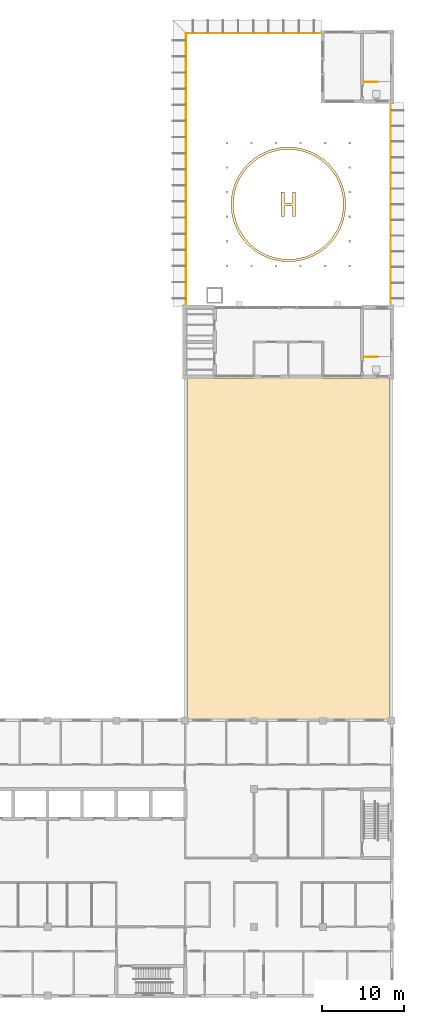
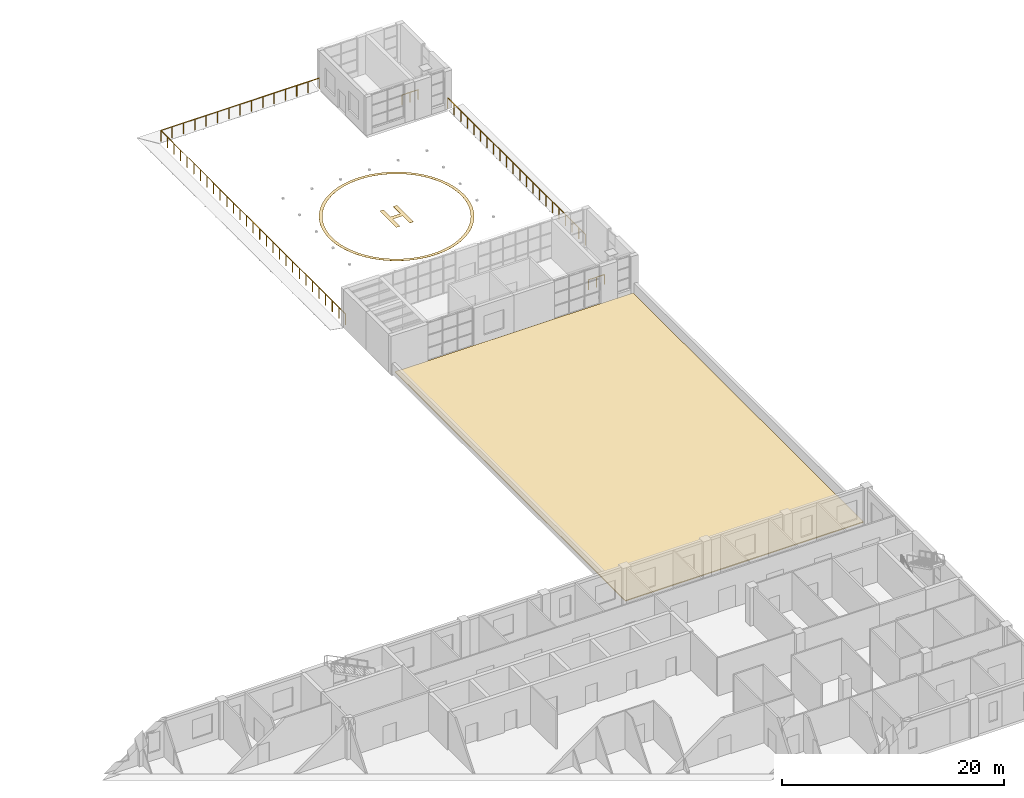
# One storey, part 66 of 66: 4 railings, 3 coverings.
"""IFC4 building model written with IfcOpenShell, lengths in metres."""

from ifc_helpers import new_model, si_unit, direction, frame, origin, origin_2d, place, context, subcontext, project, spatial, polyline, circle, outline, extrude, material, layer, layer_set, type_object, element, save


model = new_model("IFC4")

# Units and contexts
model_context = context("Model", 3, precision=1e-05, world=origin(), true_north=direction((0.0, 1.0)))
body_context = subcontext(model_context, "Body", "Model", "MODEL_VIEW")
ifc_project = project(units=[si_unit("LENGTHUNIT", "METRE"), si_unit("AREAUNIT", "SQUARE_METRE"), si_unit("VOLUMEUNIT", "CUBIC_METRE"), si_unit("PLANEANGLEUNIT", "RADIAN"), si_unit("MASSUNIT", "GRAM", prefix="KILO")], contexts=[model_context])

# Site, building, storey
site_placement = place(None, origin())
site = spatial("IfcSite", under=ifc_project, at=site_placement, CompositionType="ELEMENT")
building_placement = place(site_placement, origin())
building = spatial("IfcBuilding", under=site, at=building_placement, Name="Yavir Park General Hospital", CompositionType="ELEMENT")
storey_placement = place(building_placement, frame((0.0, 0.0, 8.39990234375)))
storey = spatial("IfcBuildingStorey", under=building, at=storey_placement, Name="L02", CompositionType="ELEMENT", Elevation=8.39990234375)

# Coverings
ifc_material_1 = material(Name="Extensive sedum planting on substrate and membrane")
ifc_layer_1 = layer(ifc_material_1, 0.10009765625)
ifc_layer_set_1 = layer_set([ifc_layer_1], Name="Extensive sedum planting on substrate and membrane")
covering_type_1 = type_object("IfcCoveringType", Name="Extensive sedum roof 100", PredefinedType="ROOFING", material=ifc_layer_set_1)
covering_1_placement = place(storey_placement, origin())
element("IfcCovering", 1, at=covering_1_placement, inside=storey, type_object=covering_type_1, Name="Planted roof L011428-336.1", PredefinedType="ROOFING", context=body_context, shape_type="SweptSolid", body=[
    extrude(outline(polyline([(143.0, 33.800048828125), (167.800048828125, 33.800048828125), (167.800048828125, 75.39990234375), (143.0, 75.39990234375), (143.0, 33.800048828125)])), origin(), (0.0, 0.0, 1.0), 0.10009765625),
])
ifc_material_2 = material(Name="Helipad marking paint")
ifc_layer_2 = layer(ifc_material_2, 0.008056640625)
ifc_layer_set_2 = layer_set([ifc_layer_2], Name="Helipad marking paint")
covering_type_2 = type_object("IfcCoveringType", Name="Helipad H marking", PredefinedType="FLOORING", material=ifc_layer_set_2)
covering_2_placement = place(storey_placement, origin())
element("IfcCovering", 2, at=covering_2_placement, inside=storey, type_object=covering_type_2, Name="Helipad H marking", PredefinedType="FLOORING", context=body_context, shape_type="SweptSolid", body=[
    extrude(outline(polyline([(154.5, 95.10009765625), (154.89990234375, 95.10009765625), (154.89990234375, 96.39990234375), (155.89990234375, 96.39990234375), (155.89990234375, 95.10009765625), (156.300048828125, 95.10009765625), (156.300048828125, 98.10009765625), (155.89990234375, 98.10009765625), (155.89990234375, 96.800048828125), (154.89990234375, 96.800048828125), (154.89990234375, 98.10009765625), (154.5, 98.10009765625), (154.5, 95.10009765625)])), origin(), (0.0, 0.0, 1.0), 0.008056640625),
])
ifc_material_3 = material(Name="Helipad marking paint")
ifc_layer_3 = layer(ifc_material_3, 0.008056640625)
ifc_layer_set_3 = layer_set([ifc_layer_3], Name="Helipad marking paint")
covering_type_3 = type_object("IfcCoveringType", Name="Helipad TLOF ring 14 m", PredefinedType="FLOORING", material=ifc_layer_set_3)
covering_3_placement = place(storey_placement, origin())
element("IfcCovering", 3, at=covering_3_placement, inside=storey, type_object=covering_type_3, Name="Helipad TLOF ring", PredefinedType="FLOORING", context=body_context, shape_type="SweptSolid", body=[
    extrude(outline(polyline([(162.39990234375, 96.60009765625), (162.390380859375, 96.96630859375), (162.36181640625, 97.331787109375), (162.313720703125, 97.695068359375), (162.2470703125, 98.055419921875), (162.16162109375, 98.41162109375), (162.057373046875, 98.76318359375), (161.93505859375, 99.108642578125), (161.794921875, 99.447265625), (161.636962890625, 99.77783203125), (161.462158203125, 100.10009765625), (161.270751953125, 100.41259765625), (161.06298828125, 100.714599609375), (160.840087890625, 101.005126953125), (160.60205078125, 101.283935546875), (160.349609375, 101.5498046875), (160.083984375, 101.802001953125), (159.80517578125, 102.0400390625), (159.514404296875, 102.26318359375), (159.21240234375, 102.470703125), (158.89990234375, 102.662109375), (158.577880859375, 102.8369140625), (158.247314453125, 102.994873046875), (157.90869140625, 103.135009765625), (157.56298828125, 103.25732421875), (157.211669921875, 103.361572265625), (156.85546875, 103.447021484375), (156.4951171875, 103.513916015625), (156.131591796875, 103.561767578125), (155.766357421875, 103.59033203125), (155.39990234375, 103.60009765625), (155.03369140625, 103.59033203125), (154.668212890625, 103.561767578125), (154.304931640625, 103.513916015625), (153.944580078125, 103.447021484375), (153.58837890625, 103.361572265625), (153.23681640625, 103.25732421875), (152.891357421875, 103.135009765625), (152.552734375, 102.994873046875), (152.22216796875, 102.8369140625), (151.89990234375, 102.662109375), (151.58740234375, 102.470703125), (151.285400390625, 102.26318359375), (150.994873046875, 102.0400390625), (150.716064453125, 101.802001953125), (150.4501953125, 101.5498046875), (150.197998046875, 101.283935546875), (149.9599609375, 101.005126953125), (149.73681640625, 100.714599609375), (149.529296875, 100.41259765625), (149.337890625, 100.10009765625), (149.1630859375, 99.77783203125), (149.005126953125, 99.447265625), (148.864990234375, 99.108642578125), (148.74267578125, 98.76318359375), (148.638427734375, 98.41162109375), (148.552978515625, 98.055419921875), (148.486083984375, 97.695068359375), (148.438232421875, 97.331787109375), (148.40966796875, 96.96630859375), (148.39990234375, 96.60009765625), (148.40966796875, 96.233642578125), (148.438232421875, 95.868408203125), (148.486083984375, 95.5048828125), (148.552978515625, 95.14453125), (148.638427734375, 94.788330078125), (148.74267578125, 94.43701171875), (148.864990234375, 94.09130859375), (149.005126953125, 93.752685546875), (149.1630859375, 93.422119140625), (149.337890625, 93.10009765625), (149.529296875, 92.78759765625), (149.73681640625, 92.485595703125), (149.9599609375, 92.19482421875), (150.197998046875, 91.916015625), (150.4501953125, 91.650390625), (150.716064453125, 91.39794921875), (150.994873046875, 91.159912109375), (151.285400390625, 90.93701171875), (151.58740234375, 90.729248046875), (151.89990234375, 90.537841796875), (152.22216796875, 90.363037109375), (152.552734375, 90.205078125), (152.891357421875, 90.06494140625), (153.23681640625, 89.942626953125), (153.58837890625, 89.83837890625), (153.944580078125, 89.7529296875), (154.304931640625, 89.686279296875), (154.668212890625, 89.63818359375), (155.03369140625, 89.609619140625), (155.39990234375, 89.60009765625), (155.766357421875, 89.609619140625), (156.131591796875, 89.63818359375), (156.4951171875, 89.686279296875), (156.85546875, 89.7529296875), (157.211669921875, 89.83837890625), (157.56298828125, 89.942626953125), (157.90869140625, 90.06494140625), (158.247314453125, 90.205078125), (158.577880859375, 90.363037109375), (158.89990234375, 90.537841796875), (159.21240234375, 90.729248046875), (159.514404296875, 90.93701171875), (159.80517578125, 91.159912109375), (160.083984375, 91.39794921875), (160.349609375, 91.650390625), (160.60205078125, 91.916015625), (160.840087890625, 92.19482421875), (161.06298828125, 92.485595703125), (161.270751953125, 92.78759765625), (161.462158203125, 93.10009765625), (161.636962890625, 93.422119140625), (161.794921875, 93.752685546875), (161.93505859375, 94.09130859375), (162.057373046875, 94.43701171875), (162.16162109375, 94.788330078125), (162.2470703125, 95.14453125), (162.313720703125, 95.5048828125), (162.36181640625, 95.868408203125), (162.390380859375, 96.233642578125), (162.39990234375, 96.60009765625)]), holes=[polyline([(162.0908203125, 96.249267578125), (162.063232421875, 95.899658203125), (162.017578125, 95.552001953125), (161.95361328125, 95.20703125), (161.87158203125, 94.865966796875), (161.772216796875, 94.529541015625), (161.655029296875, 94.198974609375), (161.520751953125, 93.875), (161.36962890625, 93.558349609375), (161.202392578125, 93.25), (161.01904296875, 92.950927734375), (160.8203125, 92.661865234375), (160.60693359375, 92.383544921875), (160.379150390625, 92.11669921875), (160.1376953125, 91.8623046875), (159.88330078125, 91.620849609375), (159.616455078125, 91.39306640625), (159.338134765625, 91.1796875), (159.049072265625, 90.98095703125), (158.75, 90.797607421875), (158.441650390625, 90.63037109375), (158.125, 90.479248046875), (157.801025390625, 90.344970703125), (157.470458984375, 90.227783203125), (157.134033203125, 90.12841796875), (156.79296875, 90.04638671875), (156.447998046875, 89.982421875), (156.100341796875, 89.936767578125), (155.750732421875, 89.9091796875), (155.39990234375, 89.89990234375), (155.04931640625, 89.9091796875), (154.69970703125, 89.936767578125), (154.351806640625, 89.982421875), (154.007080078125, 90.04638671875), (153.666015625, 90.12841796875), (153.32958984375, 90.227783203125), (152.998779296875, 90.344970703125), (152.6748046875, 90.479248046875), (152.3583984375, 90.63037109375), (152.050048828125, 90.797607421875), (151.7509765625, 90.98095703125), (151.4619140625, 91.1796875), (151.18359375, 91.39306640625), (150.916748046875, 91.620849609375), (150.662353515625, 91.8623046875), (150.4208984375, 92.11669921875), (150.193115234375, 92.383544921875), (149.9794921875, 92.661865234375), (149.781005859375, 92.950927734375), (149.59765625, 93.25), (149.430419921875, 93.558349609375), (149.279296875, 93.875), (149.14501953125, 94.198974609375), (149.02783203125, 94.529541015625), (148.92822265625, 94.865966796875), (148.846435546875, 95.20703125), (148.782470703125, 95.552001953125), (148.73681640625, 95.899658203125), (148.709228515625, 96.249267578125), (148.699951171875, 96.60009765625), (148.709228515625, 96.95068359375), (148.73681640625, 97.30029296875), (148.782470703125, 97.648193359375), (148.846435546875, 97.992919921875), (148.92822265625, 98.333984375), (149.02783203125, 98.67041015625), (149.14501953125, 99.001220703125), (149.279296875, 99.3251953125), (149.430419921875, 99.6416015625), (149.59765625, 99.949951171875), (149.781005859375, 100.2490234375), (149.9794921875, 100.5380859375), (150.193115234375, 100.81640625), (150.4208984375, 101.083251953125), (150.662353515625, 101.337646484375), (150.916748046875, 101.5791015625), (151.18359375, 101.806884765625), (151.4619140625, 102.0205078125), (151.7509765625, 102.218994140625), (152.050048828125, 102.40234375), (152.3583984375, 102.569580078125), (152.6748046875, 102.720703125), (152.998779296875, 102.85498046875), (153.32958984375, 102.97216796875), (153.666015625, 103.07177734375), (154.007080078125, 103.153564453125), (154.351806640625, 103.217529296875), (154.69970703125, 103.26318359375), (155.04931640625, 103.290771484375), (155.39990234375, 103.300048828125), (155.750732421875, 103.290771484375), (156.100341796875, 103.26318359375), (156.447998046875, 103.217529296875), (156.79296875, 103.153564453125), (157.134033203125, 103.07177734375), (157.470458984375, 102.97216796875), (157.801025390625, 102.85498046875), (158.125, 102.720703125), (158.441650390625, 102.569580078125), (158.75, 102.40234375), (159.049072265625, 102.218994140625), (159.338134765625, 102.0205078125), (159.616455078125, 101.806884765625), (159.88330078125, 101.5791015625), (160.1376953125, 101.337646484375), (160.379150390625, 101.083251953125), (160.60693359375, 100.81640625), (160.8203125, 100.5380859375), (161.01904296875, 100.2490234375), (161.202392578125, 99.949951171875), (161.36962890625, 99.6416015625), (161.520751953125, 99.3251953125), (161.655029296875, 99.001220703125), (161.772216796875, 98.67041015625), (161.87158203125, 98.333984375), (161.95361328125, 97.992919921875), (162.017578125, 97.648193359375), (162.063232421875, 97.30029296875), (162.0908203125, 96.95068359375), (162.10009765625, 96.60009765625), (162.0908203125, 96.249267578125)])]), origin(), (0.0, 0.0, 1.0), 0.008056640625),
])

# Railings
ifc_material_4 = material(Name="Steel S355", Category="steel")
railing_type_1 = type_object("IfcRailingType", Name="Helipad deck guard 1200", PredefinedType="GUARDRAIL", material=ifc_material_4)
railing_1_placement = place(storey_placement, frame((159.425048828125, 117.5, 0.0)))
element("IfcRailing", 4, at=railing_1_placement, inside=storey, type_object=railing_type_1, Name="Helipad deck guard 1", PredefinedType="GUARDRAIL", context=body_context, shape_type="SweptSolid", body=[
    extrude(circle(Radius=0.02490234375, at=origin_2d()), frame((0.0, 0.0, 1.1748046875), z_axis=(-1.0, 0.0, 0.0), x_axis=(0.0, -1.0, 0.0)), (0.0, 0.0, 1.0), 16.525146484375),
    extrude(circle(Radius=0.02490234375, at=origin_2d()), frame((-16.525146484375, 0.0, 1.1748046875), z_axis=(0.0, -1.0, 0.0), x_axis=(1.0, 0.0, 0.0)), (0.0, 0.0, 1.0), 33.324951171875),
    extrude(circle(Radius=0.02490234375, at=origin_2d()), origin(), (0.0, 0.0, 1.0), 1.14990234375),
    extrude(circle(Radius=0.02490234375, at=origin_2d()), frame((-1.180419921875, 0.0, 0.0)), (0.0, 0.0, 1.0), 1.14990234375),
    extrude(circle(Radius=0.02490234375, at=origin_2d()), frame((-2.36083984375, 0.0, 0.0)), (0.0, 0.0, 1.0), 1.14990234375),
    extrude(circle(Radius=0.02490234375, at=origin_2d()), frame((-3.541015625, 0.0, 0.0)), (0.0, 0.0, 1.0), 1.14990234375),
    extrude(circle(Radius=0.02490234375, at=origin_2d()), frame((-4.721435546875, 0.0, 0.0)), (0.0, 0.0, 1.0), 1.14990234375),
    extrude(circle(Radius=0.02490234375, at=origin_2d()), frame((-5.90185546875, 0.0, 0.0)), (0.0, 0.0, 1.0), 1.14990234375),
    extrude(circle(Radius=0.02490234375, at=origin_2d()), frame((-7.082275390625, 0.0, 0.0)), (0.0, 0.0, 1.0), 1.14990234375),
    extrude(circle(Radius=0.02490234375, at=origin_2d()), frame((-8.2626953125, 0.0, 0.0)), (0.0, 0.0, 1.0), 1.14990234375),
    extrude(circle(Radius=0.02490234375, at=origin_2d()), frame((-9.44287109375, 0.0, 0.0)), (0.0, 0.0, 1.0), 1.14990234375),
    extrude(circle(Radius=0.02490234375, at=origin_2d()), frame((-10.623291015625, 0.0, 0.0)), (0.0, 0.0, 1.0), 1.14990234375),
    extrude(circle(Radius=0.02490234375, at=origin_2d()), frame((-11.8037109375, 0.0, 0.0)), (0.0, 0.0, 1.0), 1.14990234375),
    extrude(circle(Radius=0.02490234375, at=origin_2d()), frame((-12.984130859375, 0.0, 0.0)), (0.0, 0.0, 1.0), 1.14990234375),
    extrude(circle(Radius=0.02490234375, at=origin_2d()), frame((-14.164306640625, 0.0, 0.0)), (0.0, 0.0, 1.0), 1.14990234375),
    extrude(circle(Radius=0.02490234375, at=origin_2d()), frame((-15.3447265625, 0.0, 0.0)), (0.0, 0.0, 1.0), 1.14990234375),
    extrude(circle(Radius=0.02490234375, at=origin_2d()), frame((-16.525146484375, 0.0, 0.0)), (0.0, 0.0, 1.0), 1.14990234375),
    extrude(circle(Radius=0.02490234375, at=origin_2d()), frame((-16.525146484375, -1.190185546875, 0.0)), (0.0, 0.0, 1.0), 1.14990234375),
    extrude(circle(Radius=0.02490234375, at=origin_2d()), frame((-16.525146484375, -2.38037109375, 0.0)), (0.0, 0.0, 1.0), 1.14990234375),
    extrude(circle(Radius=0.02490234375, at=origin_2d()), frame((-16.525146484375, -3.570556640625, 0.0)), (0.0, 0.0, 1.0), 1.14990234375),
    extrude(circle(Radius=0.02490234375, at=origin_2d()), frame((-16.525146484375, -4.7607421875, 0.0)), (0.0, 0.0, 1.0), 1.14990234375),
    extrude(circle(Radius=0.02490234375, at=origin_2d()), frame((-16.525146484375, -5.950927734375, 0.0)), (0.0, 0.0, 1.0), 1.14990234375),
    extrude(circle(Radius=0.02490234375, at=origin_2d()), frame((-16.525146484375, -7.14111328125, 0.0)), (0.0, 0.0, 1.0), 1.14990234375),
    extrude(circle(Radius=0.02490234375, at=origin_2d()), frame((-16.525146484375, -8.331298828125, 0.0)), (0.0, 0.0, 1.0), 1.14990234375),
    extrude(circle(Radius=0.02490234375, at=origin_2d()), frame((-16.525146484375, -9.521484375, 0.0)), (0.0, 0.0, 1.0), 1.14990234375),
    extrude(circle(Radius=0.02490234375, at=origin_2d()), frame((-16.525146484375, -10.711669921875, 0.0)), (0.0, 0.0, 1.0), 1.14990234375),
    extrude(circle(Radius=0.02490234375, at=origin_2d()), frame((-16.525146484375, -11.90185546875, 0.0)), (0.0, 0.0, 1.0), 1.14990234375),
    extrude(circle(Radius=0.02490234375, at=origin_2d()), frame((-16.525146484375, -13.092041015625, 0.0)), (0.0, 0.0, 1.0), 1.14990234375),
    extrude(circle(Radius=0.02490234375, at=origin_2d()), frame((-16.525146484375, -14.2822265625, 0.0)), (0.0, 0.0, 1.0), 1.14990234375),
    extrude(circle(Radius=0.02490234375, at=origin_2d()), frame((-16.525146484375, -15.472412109375, 0.0)), (0.0, 0.0, 1.0), 1.14990234375),
    extrude(circle(Radius=0.02490234375, at=origin_2d()), frame((-16.525146484375, -16.66259765625, 0.0)), (0.0, 0.0, 1.0), 1.14990234375),
    extrude(circle(Radius=0.02490234375, at=origin_2d()), frame((-16.525146484375, -17.8525390625, 0.0)), (0.0, 0.0, 1.0), 1.14990234375),
    extrude(circle(Radius=0.02490234375, at=origin_2d()), frame((-16.525146484375, -19.042724609375, 0.0)), (0.0, 0.0, 1.0), 1.14990234375),
    extrude(circle(Radius=0.02490234375, at=origin_2d()), frame((-16.525146484375, -20.23291015625, 0.0)), (0.0, 0.0, 1.0), 1.14990234375),
    extrude(circle(Radius=0.02490234375, at=origin_2d()), frame((-16.525146484375, -21.423095703125, 0.0)), (0.0, 0.0, 1.0), 1.14990234375),
    extrude(circle(Radius=0.02490234375, at=origin_2d()), frame((-16.525146484375, -22.61328125, 0.0)), (0.0, 0.0, 1.0), 1.14990234375),
    extrude(circle(Radius=0.02490234375, at=origin_2d()), frame((-16.525146484375, -23.803466796875, 0.0)), (0.0, 0.0, 1.0), 1.14990234375),
    extrude(circle(Radius=0.02490234375, at=origin_2d()), frame((-16.525146484375, -24.99365234375, 0.0)), (0.0, 0.0, 1.0), 1.14990234375),
    extrude(circle(Radius=0.02490234375, at=origin_2d()), frame((-16.525146484375, -26.183837890625, 0.0)), (0.0, 0.0, 1.0), 1.14990234375),
    extrude(circle(Radius=0.02490234375, at=origin_2d()), frame((-16.525146484375, -27.3740234375, 0.0)), (0.0, 0.0, 1.0), 1.14990234375),
    extrude(circle(Radius=0.02490234375, at=origin_2d()), frame((-16.525146484375, -28.564208984375, 0.0)), (0.0, 0.0, 1.0), 1.14990234375),
    extrude(circle(Radius=0.02490234375, at=origin_2d()), frame((-16.525146484375, -29.75439453125, 0.0)), (0.0, 0.0, 1.0), 1.14990234375),
    extrude(circle(Radius=0.02490234375, at=origin_2d()), frame((-16.525146484375, -30.944580078125, 0.0)), (0.0, 0.0, 1.0), 1.14990234375),
    extrude(circle(Radius=0.02490234375, at=origin_2d()), frame((-16.525146484375, -32.134765625, 0.0)), (0.0, 0.0, 1.0), 1.14990234375),
    extrude(circle(Radius=0.02490234375, at=origin_2d()), frame((-16.525146484375, -33.324951171875, 0.0)), (0.0, 0.0, 1.0), 1.14990234375),
])
railing_2_placement = place(storey_placement, frame((167.89990234375, 84.175048828125, 0.0)))
element("IfcRailing", 5, at=railing_2_placement, inside=storey, type_object=railing_type_1, Name="Helipad deck guard 2", PredefinedType="GUARDRAIL", context=body_context, shape_type="SweptSolid", body=[
    extrude(circle(Radius=0.02490234375, at=origin_2d()), frame((0.0, 0.0, 1.1748046875), z_axis=(0.0, 1.0, 0.0), x_axis=(-1.0, 0.0, 0.0)), (0.0, 0.0, 1.0), 24.849853515625),
    extrude(circle(Radius=0.02490234375, at=origin_2d()), origin(), (0.0, 0.0, 1.0), 1.14990234375),
    extrude(circle(Radius=0.02490234375, at=origin_2d()), frame((0.0, 1.183349609375, 0.0)), (0.0, 0.0, 1.0), 1.14990234375),
    extrude(circle(Radius=0.02490234375, at=origin_2d()), frame((0.0, 2.36669921875, 0.0)), (0.0, 0.0, 1.0), 1.14990234375),
    extrude(circle(Radius=0.02490234375, at=origin_2d()), frame((0.0, 3.550048828125, 0.0)), (0.0, 0.0, 1.0), 1.14990234375),
    extrude(circle(Radius=0.02490234375, at=origin_2d()), frame((0.0, 4.7333984375, 0.0)), (0.0, 0.0, 1.0), 1.14990234375),
    extrude(circle(Radius=0.02490234375, at=origin_2d()), frame((0.0, 5.916748046875, 0.0)), (0.0, 0.0, 1.0), 1.14990234375),
    extrude(circle(Radius=0.02490234375, at=origin_2d()), frame((0.0, 7.099853515625, 0.0)), (0.0, 0.0, 1.0), 1.14990234375),
    extrude(circle(Radius=0.02490234375, at=origin_2d()), frame((0.0, 8.283203125, 0.0)), (0.0, 0.0, 1.0), 1.14990234375),
    extrude(circle(Radius=0.02490234375, at=origin_2d()), frame((0.0, 9.466552734375, 0.0)), (0.0, 0.0, 1.0), 1.14990234375),
    extrude(circle(Radius=0.02490234375, at=origin_2d()), frame((0.0, 10.64990234375, 0.0)), (0.0, 0.0, 1.0), 1.14990234375),
    extrude(circle(Radius=0.02490234375, at=origin_2d()), frame((0.0, 11.833251953125, 0.0)), (0.0, 0.0, 1.0), 1.14990234375),
    extrude(circle(Radius=0.02490234375, at=origin_2d()), frame((0.0, 13.0166015625, 0.0)), (0.0, 0.0, 1.0), 1.14990234375),
    extrude(circle(Radius=0.02490234375, at=origin_2d()), frame((0.0, 14.199951171875, 0.0)), (0.0, 0.0, 1.0), 1.14990234375),
    extrude(circle(Radius=0.02490234375, at=origin_2d()), frame((0.0, 15.38330078125, 0.0)), (0.0, 0.0, 1.0), 1.14990234375),
    extrude(circle(Radius=0.02490234375, at=origin_2d()), frame((0.0, 16.566650390625, 0.0)), (0.0, 0.0, 1.0), 1.14990234375),
    extrude(circle(Radius=0.02490234375, at=origin_2d()), frame((0.0, 17.75, 0.0)), (0.0, 0.0, 1.0), 1.14990234375),
    extrude(circle(Radius=0.02490234375, at=origin_2d()), frame((0.0, 18.93310546875, 0.0)), (0.0, 0.0, 1.0), 1.14990234375),
    extrude(circle(Radius=0.02490234375, at=origin_2d()), frame((0.0, 20.116455078125, 0.0)), (0.0, 0.0, 1.0), 1.14990234375),
    extrude(circle(Radius=0.02490234375, at=origin_2d()), frame((0.0, 21.2998046875, 0.0)), (0.0, 0.0, 1.0), 1.14990234375),
    extrude(circle(Radius=0.02490234375, at=origin_2d()), frame((0.0, 22.483154296875, 0.0)), (0.0, 0.0, 1.0), 1.14990234375),
    extrude(circle(Radius=0.02490234375, at=origin_2d()), frame((0.0, 23.66650390625, 0.0)), (0.0, 0.0, 1.0), 1.14990234375),
    extrude(circle(Radius=0.02490234375, at=origin_2d()), frame((0.0, 24.849853515625, 0.0)), (0.0, 0.0, 1.0), 1.14990234375),
])
ifc_material_5 = material(Name="Steel balustrade with infill rods", Category="steel")
railing_type_2 = type_object("IfcRailingType", Name="Stair guard, steel balustrade 1100 mm", PredefinedType="GUARDRAIL", material=ifc_material_5)
for number, where, name in (
    (6, (164.6298828125, 77.969970703125, 0.0), "Stair well guard ES2 L02"),
    (7, (164.6298828125, 111.570068359375, 0.0), "Stair well guard ES3 L02"),
):
    element("IfcRailing", number, at=place(storey_placement, frame(where)), inside=storey, type_object=railing_type_2, Name=name, PredefinedType="GUARDRAIL", context=body_context, shape_type="SweptSolid", body=[
        extrude(circle(Radius=0.02392578125, at=origin_2d()), frame((0.0, 0.0, 1.076171875), z_axis=(1.0, 0.0, 0.0), x_axis=(0.0, 1.0, 0.0)), (0.0, 0.0, 1.0), 1.670166015625),
        extrude(circle(Radius=0.02099609375, at=origin_2d()), origin(), (0.0, 0.0, 1.0), 1.052001953125),
        extrude(circle(Radius=0.02099609375, at=origin_2d()), frame((0.8349609375, 0.0, 0.0)), (0.0, 0.0, 1.0), 1.052001953125),
        extrude(circle(Radius=0.02099609375, at=origin_2d()), frame((1.670166015625, 0.0, 0.0)), (0.0, 0.0, 1.0), 1.052001953125),
    ])

save(model, "model.ifc")
